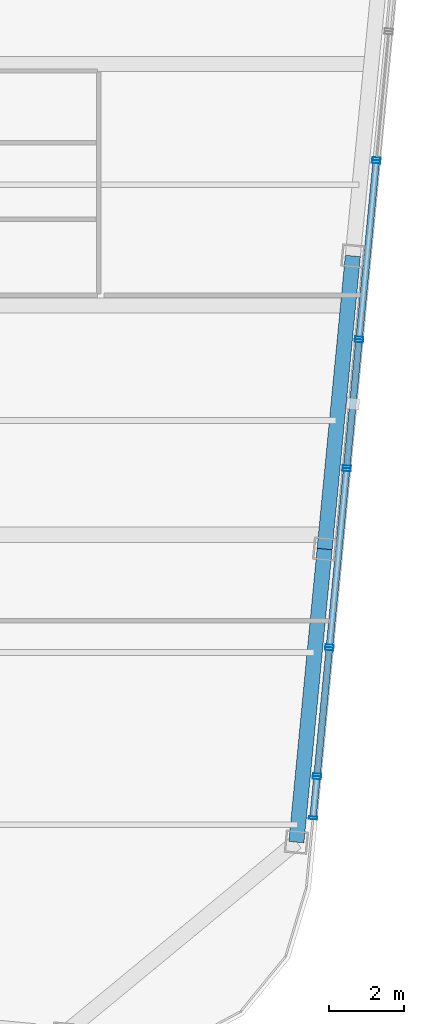
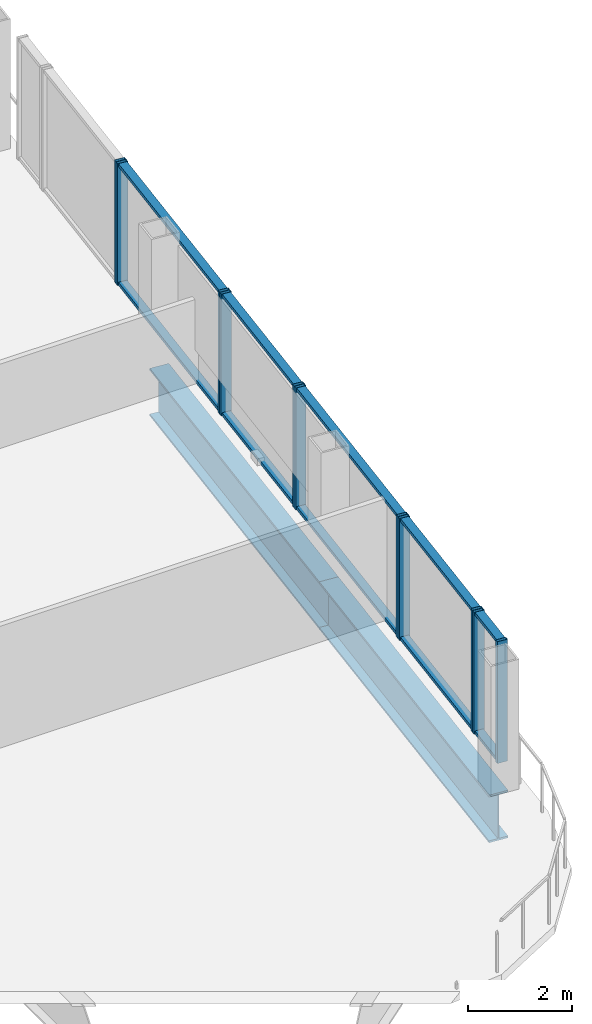
# One storey, part 11 of 22: 21 members, 2 beams, 6 elements without a shape of their own.
"""IFC4 building model written with IfcOpenShell, lengths in metres."""

from ifc_helpers import new_model, si_unit, direction, frame, origin, origin_2d, place, context, subcontext, project, spatial, hollow_rectangle, i_section, extrude, material, layer, layer_set, material_profile, profile_set, type_object, element, aggregate, save


model = new_model("IFC4")

# Units and contexts
model_context = context("Model", 3, precision=1e-05, world=origin(), true_north=direction((0.0, 1.0)))
body_context = subcontext(model_context, "Body", "Model", "MODEL_VIEW")
ifc_project = project(units=[si_unit("LENGTHUNIT", "METRE"), si_unit("AREAUNIT", "SQUARE_METRE"), si_unit("VOLUMEUNIT", "CUBIC_METRE"), si_unit("PLANEANGLEUNIT", "RADIAN"), si_unit("MASSUNIT", "GRAM", prefix="KILO")], contexts=[model_context])

# Site, building, storey
site_placement = place(None, origin())
site = spatial("IfcSite", under=ifc_project, at=site_placement, CompositionType="ELEMENT")
building_placement = place(site_placement, origin())
building = spatial("IfcBuilding", under=site, at=building_placement, Name="Qhalaya Broadcast Tower", CompositionType="ELEMENT")
storey_placement = place(building_placement, frame((0.0, 0.0, 245.89990234375)))
storey = spatial("IfcBuildingStorey", under=building, at=storey_placement, Name="L72", CompositionType="ELEMENT", Elevation=245.89990234375)

# Beams
ifc_material_1 = material(Name="Structural Steel ASTM A992 Grade 50", Category="steel")
ifc_material_profile_1 = material_profile(ifc_material_1, i_section(OverallWidth=0.404052734375, OverallDepth=1.117919921875, WebThickness=0.026123046875, FlangeThickness=0.044921875, at=origin_2d()), Name="W44X335")
ifc_profile_set_1 = profile_set([ifc_material_profile_1], Name="Structural Steel ASTM A992 Grade 50")
beam_type = type_object("IfcBeamType", Name="Podium Long-Span Primary Girder PG1", PredefinedType="USERDEFINED", material=ifc_profile_set_1)
beam_1_placement = place(storey_placement, frame((19.82861328125, -16.962890625, -0.7490234375), z_axis=(0.095837184179, 0.995397023367, 0.0), x_axis=(-0.995397023367, 0.095837184179, 0.0)))
element("IfcBeam", 1, at=beam_1_placement, inside=storey, type_object=beam_type, Name="L72 PG1 L72-SPR-05", ObjectType="GIRDER", PredefinedType="USERDEFINED", context=body_context, shape_type="SweptSolid", body=[
    extrude(i_section(OverallWidth=0.404052734375, OverallDepth=1.117919921875, WebThickness=0.026123046875, FlangeThickness=0.044921875, at=origin_2d()), origin(), (0.0, 0.0, 1.0), 7.866455078125),
])
beam_2_placement = place(storey_placement, frame((20.58251953125, -9.132568359375, -0.7490234375), z_axis=(0.095834223619, 0.995397308407, 0.0), x_axis=(-0.995397308407, 0.095834223619, 0.0)))
element("IfcBeam", 2, at=beam_2_placement, inside=storey, type_object=beam_type, Name="L72 PG1 L72-SPR-06", ObjectType="GIRDER", PredefinedType="USERDEFINED", context=body_context, shape_type="SweptSolid", body=[
    extrude(i_section(OverallWidth=0.404052734375, OverallDepth=1.117919921875, WebThickness=0.026123046875, FlangeThickness=0.044921875, at=origin_2d()), origin(), (0.0, 0.0, 1.0), 7.86669921875),
])

# Curtain wall, members
ifc_material_2 = material(Name="Fired Architectural Terracotta", Category="masonry")
ifc_layer_1 = layer(ifc_material_2, 0.219970703125, Name="Fired Architectural Terracotta")
ifc_layer_set_1 = layer_set([ifc_layer_1], Name="Fired Architectural Terracotta")
curtain_wall_type_1 = type_object("IfcCurtainWallType", Name="Block-Cap Unitised Terracotta Spandrel Wall CW-07", PredefinedType="NOTDEFINED", material=ifc_layer_set_1)
curtain_wall_1_placement = place(storey_placement, origin())
curtain_wall_1 = element("IfcCurtainWall", 3, at=curtain_wall_1_placement, inside=storey, type_object=curtain_wall_type_1, Name="L72 Unitised Curtain Wall L72-CW-E1", PredefinedType="NOTDEFINED")
ifc_material_3 = material(Name="Anodised Aluminium 6063-T6", Category="aluminium")
ifc_material_profile_2 = material_profile(ifc_material_3, hollow_rectangle(XDim=0.074951171875, YDim=0.219970703125, WallThickness=0.00390625, at=origin_2d()), Name="ALU-MUL 75x220x4")
ifc_profile_set_2 = profile_set([ifc_material_profile_2], Name="Anodised Aluminium 6063-T6")
member_type_1 = type_object("IfcMemberType", Name="Unitised Curtain-Wall Mullion M01", PredefinedType="MULLION", material=ifc_profile_set_2)
member_1_placement = place(storey_placement, frame((20.272705078125, -16.315185546875, 0.0), z_axis=(0.0, 0.0, 1.0), x_axis=(0.095839545253, 0.995396796039, 0.0)))
member_1 = element("IfcMember", 4, at=member_1_placement, type_object=member_type_1, Name="CW-07 mullion 1", PredefinedType="MULLION", context=body_context, shape_type="SweptSolid", body=[
    extrude(hollow_rectangle(XDim=0.074951171875, YDim=0.219970703125, WallThickness=0.00390625, at=origin_2d()), origin(), (0.0, 0.0, 1.0), 2.860107421875),
])
member_2_placement = place(storey_placement, frame((20.3759765625, -15.240966796875, 0.0), z_axis=(0.0, 0.0, 1.0), x_axis=(0.095839545253, 0.995396796039, 0.0)))
member_2 = element("IfcMember", 5, at=member_2_placement, type_object=member_type_1, Name="CW-07 mullion 2", PredefinedType="MULLION", context=body_context, shape_type="SweptSolid", body=[
    extrude(hollow_rectangle(XDim=0.074951171875, YDim=0.219970703125, WallThickness=0.00390625, at=origin_2d()), origin(), (0.0, 0.0, 1.0), 2.860107421875),
])

ifc_material_4 = material(Name="Solar-Control Low-E Triple Glazing", Category="glass")
ifc_layer_2 = layer(ifc_material_4, 0.219970703125, Name="Solar-Control Low-E Triple Glazing")
ifc_layer_set_2 = layer_set([ifc_layer_2], Name="Solar-Control Low-E Triple Glazing")
curtain_wall_type_2 = type_object("IfcCurtainWallType", Name="High-Altitude Upper-Shaft Triple Low-E Curtain Wall CW-04", PredefinedType="NOTDEFINED", material=ifc_layer_set_2)
curtain_wall_2_placement = place(storey_placement, origin())
curtain_wall_2 = element("IfcCurtainWall", 6, at=curtain_wall_2_placement, inside=storey, type_object=curtain_wall_type_2, Name="L72 Unitised Curtain Wall L72-CW-E2", PredefinedType="NOTDEFINED")
member_3_placement = place(storey_placement, frame((20.38330078125, -15.166259765625, 0.0), z_axis=(0.0, 0.0, 1.0), x_axis=(0.095836350923, 0.995397103593, 0.0)))
member_3 = element("IfcMember", 7, at=member_3_placement, type_object=member_type_1, Name="CW-04 mullion 1", PredefinedType="MULLION", context=body_context, shape_type="SweptSolid", body=[
    extrude(hollow_rectangle(XDim=0.074951171875, YDim=0.219970703125, WallThickness=0.00390625, at=origin_2d()), origin(), (0.0, 0.0, 1.0), 2.860107421875),
])
member_4_placement = place(storey_placement, frame((20.70751953125, -11.7978515625, 0.0), z_axis=(0.0, 0.0, 1.0), x_axis=(0.095836350923, 0.995397103593, 0.0)))
member_4 = element("IfcMember", 8, at=member_4_placement, type_object=member_type_1, Name="CW-04 mullion 2", PredefinedType="MULLION", context=body_context, shape_type="SweptSolid", body=[
    extrude(hollow_rectangle(XDim=0.074951171875, YDim=0.219970703125, WallThickness=0.00390625, at=origin_2d()), origin(), (0.0, 0.0, 1.0), 2.860107421875),
])

curtain_wall_3_placement = place(storey_placement, origin())
curtain_wall_3 = element("IfcCurtainWall", 9, at=curtain_wall_3_placement, inside=storey, type_object=curtain_wall_type_1, Name="L72 Unitised Curtain Wall L72-CW-E3", PredefinedType="NOTDEFINED")
member_5_placement = place(storey_placement, frame((20.714599609375, -11.723388671875, 0.0), z_axis=(0.0, 0.0, 1.0), x_axis=(0.095862212639, 0.995394613301, 0.0)))
member_5 = element("IfcMember", 10, at=member_5_placement, type_object=member_type_1, Name="CW-07 mullion 1", PredefinedType="MULLION", context=body_context, shape_type="SweptSolid", body=[
    extrude(hollow_rectangle(XDim=0.074951171875, YDim=0.219970703125, WallThickness=0.00390625, at=origin_2d()), origin(), (0.0, 0.0, 1.0), 2.860107421875),
])
member_6_placement = place(storey_placement, frame((21.16845703125, -7.01220703125, 0.0), z_axis=(0.0, 0.0, 1.0), x_axis=(0.095862212639, 0.995394613301, 0.0)))
member_6 = element("IfcMember", 11, at=member_6_placement, type_object=member_type_1, Name="CW-07 mullion 2", PredefinedType="MULLION", context=body_context, shape_type="SweptSolid", body=[
    extrude(hollow_rectangle(XDim=0.074951171875, YDim=0.219970703125, WallThickness=0.00390625, at=origin_2d()), origin(), (0.0, 0.0, 1.0), 2.860107421875),
])

curtain_wall_4_placement = place(storey_placement, origin())
curtain_wall_4 = element("IfcCurtainWall", 12, at=curtain_wall_4_placement, inside=storey, type_object=curtain_wall_type_2, Name="L72 Unitised Curtain Wall L72-CW-E4", PredefinedType="NOTDEFINED")
member_7_placement = place(storey_placement, frame((21.175537109375, -6.9375, 0.0), z_axis=(0.0, 0.0, 1.0), x_axis=(0.095835284901, 0.995397206229, 0.0)))
member_7 = element("IfcMember", 13, at=member_7_placement, type_object=member_type_1, Name="CW-04 mullion 1", PredefinedType="MULLION", context=body_context, shape_type="SweptSolid", body=[
    extrude(hollow_rectangle(XDim=0.074951171875, YDim=0.219970703125, WallThickness=0.00390625, at=origin_2d()), origin(), (0.0, 0.0, 1.0), 2.860107421875),
])
member_8_placement = place(storey_placement, frame((21.499755859375, -3.570068359375, 0.0), z_axis=(0.0, 0.0, 1.0), x_axis=(0.095835284901, 0.995397206229, 0.0)))
member_8 = element("IfcMember", 14, at=member_8_placement, type_object=member_type_1, Name="CW-04 mullion 2", PredefinedType="MULLION", context=body_context, shape_type="SweptSolid", body=[
    extrude(hollow_rectangle(XDim=0.074951171875, YDim=0.219970703125, WallThickness=0.00390625, at=origin_2d()), origin(), (0.0, 0.0, 1.0), 2.860107421875),
])

curtain_wall_5_placement = place(storey_placement, origin())
curtain_wall_5 = element("IfcCurtainWall", 15, at=curtain_wall_5_placement, inside=storey, type_object=curtain_wall_type_1, Name="L72 Unitised Curtain Wall L72-CW-E5", PredefinedType="NOTDEFINED")
member_9_placement = place(storey_placement, frame((21.507080078125, -3.495361328125, 0.0), z_axis=(0.0, 0.0, 1.0), x_axis=(0.095860228044, 0.995394804427, 0.0)))
member_9 = element("IfcMember", 16, at=member_9_placement, type_object=member_type_1, Name="CW-07 mullion 1", PredefinedType="MULLION", context=body_context, shape_type="SweptSolid", body=[
    extrude(hollow_rectangle(XDim=0.074951171875, YDim=0.219970703125, WallThickness=0.00390625, at=origin_2d()), origin(), (0.0, 0.0, 1.0), 2.860107421875),
])
member_10_placement = place(storey_placement, frame((21.960693359375, 1.2158203125, 0.0), z_axis=(0.0, 0.0, 1.0), x_axis=(0.095860228044, 0.995394804427, 0.0)))
member_10 = element("IfcMember", 17, at=member_10_placement, type_object=member_type_1, Name="CW-07 mullion 2", PredefinedType="MULLION", context=body_context, shape_type="SweptSolid", body=[
    extrude(hollow_rectangle(XDim=0.074951171875, YDim=0.219970703125, WallThickness=0.00390625, at=origin_2d()), origin(), (0.0, 0.0, 1.0), 2.860107421875),
])

# Curtain wall, member
curtain_wall_6_placement = place(storey_placement, origin())
curtain_wall_6 = element("IfcCurtainWall", 18, at=curtain_wall_6_placement, inside=storey, type_object=curtain_wall_type_2, Name="L72 Unitised Curtain Wall L72-CW-E6", PredefinedType="NOTDEFINED")
member_11_placement = place(storey_placement, frame((21.9677734375, 1.29052734375, 0.0), z_axis=(0.0, 0.0, 1.0), x_axis=(0.095839108862, 0.995396838056, 0.0)))
member_11 = element("IfcMember", 19, at=member_11_placement, type_object=member_type_1, Name="CW-04 mullion 1", PredefinedType="MULLION", context=body_context, shape_type="SweptSolid", body=[
    extrude(hollow_rectangle(XDim=0.074951171875, YDim=0.219970703125, WallThickness=0.00390625, at=origin_2d()), origin(), (0.0, 0.0, 1.0), 2.860107421875),
])
aggregate(curtain_wall_6, [member_11])

# Member
ifc_material_profile_3 = material_profile(ifc_material_3, hollow_rectangle(XDim=0.074951171875, YDim=0.179931640625, WallThickness=0.00390625, at=origin_2d()), Name="ALU-TRN 75x180x4")
ifc_profile_set_3 = profile_set([ifc_material_profile_3], Name="Anodised Aluminium 6063-T6")
member_type_2 = type_object("IfcMemberType", Name="Unitised Curtain-Wall Transom T01", PredefinedType="USERDEFINED", material=ifc_profile_set_3)
member_12_placement = place(storey_placement, frame((20.276123046875, -16.27783203125, 0.03759765625), z_axis=(0.095795797955, 0.99540100718, 0.0), x_axis=(0.0, 0.0, 1.0)))
member_12 = element("IfcMember", 20, at=member_12_placement, type_object=member_type_2, Name="CW-07 transom 1.1", ObjectType="TRANSOM", PredefinedType="USERDEFINED", context=body_context, shape_type="SweptSolid", body=[
    extrude(hollow_rectangle(XDim=0.074951171875, YDim=0.179931640625, WallThickness=0.00390625, at=origin_2d()), origin(), (0.0, 0.0, 1.0), 1.004150390625),
])

member_13_placement = place(storey_placement, frame((20.276123046875, -16.27783203125, 2.822509765625), z_axis=(0.095795797955, 0.99540100718, 0.0), x_axis=(0.0, 0.0, 1.0)))
member_13 = element("IfcMember", 21, at=member_13_placement, type_object=member_type_2, Name="CW-07 transom 1.2", ObjectType="TRANSOM", PredefinedType="USERDEFINED", context=body_context, shape_type="SweptSolid", body=[
    extrude(hollow_rectangle(XDim=0.074951171875, YDim=0.179931640625, WallThickness=0.00390625, at=origin_2d()), origin(), (0.0, 0.0, 1.0), 1.004150390625),
])

aggregate(curtain_wall_1, [member_1, member_2, member_12, member_13])

member_14_placement = place(storey_placement, frame((20.38671875, -15.129150390625, 0.03759765625), z_axis=(0.095836115257, 0.995397126283, 0.0), x_axis=(0.0, 0.0, 1.0)))
member_14 = element("IfcMember", 22, at=member_14_placement, type_object=member_type_2, Name="CW-04 transom 1.1", ObjectType="TRANSOM", PredefinedType="USERDEFINED", context=body_context, shape_type="SweptSolid", body=[
    extrude(hollow_rectangle(XDim=0.074951171875, YDim=0.179931640625, WallThickness=0.00390625, at=origin_2d()), origin(), (0.0, 0.0, 1.0), 3.30908203125),
])

member_15_placement = place(storey_placement, frame((20.38671875, -15.129150390625, 2.822509765625), z_axis=(0.095836115257, 0.995397126283, 0.0), x_axis=(0.0, 0.0, 1.0)))
member_15 = element("IfcMember", 23, at=member_15_placement, type_object=member_type_2, Name="CW-04 transom 1.2", ObjectType="TRANSOM", PredefinedType="USERDEFINED", context=body_context, shape_type="SweptSolid", body=[
    extrude(hollow_rectangle(XDim=0.074951171875, YDim=0.179931640625, WallThickness=0.00390625, at=origin_2d()), origin(), (0.0, 0.0, 1.0), 3.30908203125),
])

aggregate(curtain_wall_2, [member_3, member_4, member_14, member_15])

member_16_placement = place(storey_placement, frame((20.71826171875, -11.68603515625, 0.03759765625), z_axis=(0.095865210868, 0.995394324549, 0.0), x_axis=(0.0, 0.0, 1.0)))
member_16 = element("IfcMember", 24, at=member_16_placement, type_object=member_type_2, Name="CW-07 transom 1.1", ObjectType="TRANSOM", PredefinedType="USERDEFINED", context=body_context, shape_type="SweptSolid", body=[
    extrude(hollow_rectangle(XDim=0.074951171875, YDim=0.179931640625, WallThickness=0.00390625, at=origin_2d()), origin(), (0.0, 0.0, 1.0), 4.657958984375),
])

member_17_placement = place(storey_placement, frame((20.71826171875, -11.68603515625, 2.822509765625), z_axis=(0.095865210868, 0.995394324549, 0.0), x_axis=(0.0, 0.0, 1.0)))
member_17 = element("IfcMember", 25, at=member_17_placement, type_object=member_type_2, Name="CW-07 transom 1.2", ObjectType="TRANSOM", PredefinedType="USERDEFINED", context=body_context, shape_type="SweptSolid", body=[
    extrude(hollow_rectangle(XDim=0.074951171875, YDim=0.179931640625, WallThickness=0.00390625, at=origin_2d()), origin(), (0.0, 0.0, 1.0), 4.657958984375),
])

aggregate(curtain_wall_3, [member_5, member_6, member_16, member_17])

member_18_placement = place(storey_placement, frame((21.17919921875, -6.900146484375, 0.03759765625), z_axis=(0.095798191468, 0.995400776829, 0.0), x_axis=(0.0, 0.0, 1.0)))
member_18 = element("IfcMember", 26, at=member_18_placement, type_object=member_type_2, Name="CW-04 transom 1.1", ObjectType="TRANSOM", PredefinedType="USERDEFINED", context=body_context, shape_type="SweptSolid", body=[
    extrude(hollow_rectangle(XDim=0.074951171875, YDim=0.179931640625, WallThickness=0.00390625, at=origin_2d()), origin(), (0.0, 0.0, 1.0), 3.307861328125),
])

member_19_placement = place(storey_placement, frame((21.17919921875, -6.900146484375, 2.822509765625), z_axis=(0.095798191468, 0.995400776829, 0.0), x_axis=(0.0, 0.0, 1.0)))
member_19 = element("IfcMember", 27, at=member_19_placement, type_object=member_type_2, Name="CW-04 transom 1.2", ObjectType="TRANSOM", PredefinedType="USERDEFINED", context=body_context, shape_type="SweptSolid", body=[
    extrude(hollow_rectangle(XDim=0.074951171875, YDim=0.179931640625, WallThickness=0.00390625, at=origin_2d()), origin(), (0.0, 0.0, 1.0), 3.307861328125),
])

aggregate(curtain_wall_4, [member_7, member_8, member_18, member_19])

member_20_placement = place(storey_placement, frame((21.510498046875, -3.4580078125, 0.03759765625), z_axis=(0.095865210868, 0.995394324549, 0.0), x_axis=(0.0, 0.0, 1.0)))
member_20 = element("IfcMember", 28, at=member_20_placement, type_object=member_type_2, Name="CW-07 transom 1.1", ObjectType="TRANSOM", PredefinedType="USERDEFINED", context=body_context, shape_type="SweptSolid", body=[
    extrude(hollow_rectangle(XDim=0.074951171875, YDim=0.179931640625, WallThickness=0.00390625, at=origin_2d()), origin(), (0.0, 0.0, 1.0), 4.657958984375),
])

member_21_placement = place(storey_placement, frame((21.510498046875, -3.4580078125, 2.822509765625), z_axis=(0.095865210868, 0.995394324549, 0.0), x_axis=(0.0, 0.0, 1.0)))
member_21 = element("IfcMember", 29, at=member_21_placement, type_object=member_type_2, Name="CW-07 transom 1.2", ObjectType="TRANSOM", PredefinedType="USERDEFINED", context=body_context, shape_type="SweptSolid", body=[
    extrude(hollow_rectangle(XDim=0.074951171875, YDim=0.179931640625, WallThickness=0.00390625, at=origin_2d()), origin(), (0.0, 0.0, 1.0), 4.657958984375),
])

aggregate(curtain_wall_5, [member_9, member_10, member_20, member_21])

save(model, "model.ifc")
